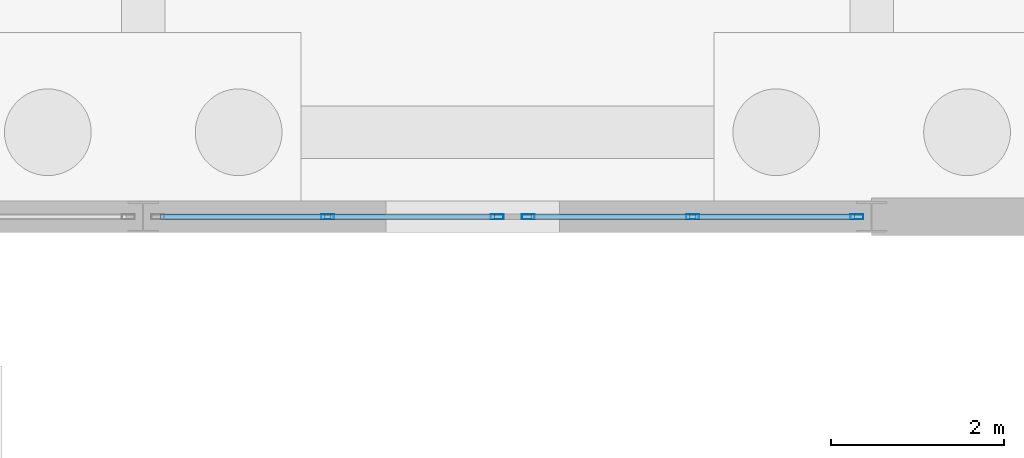
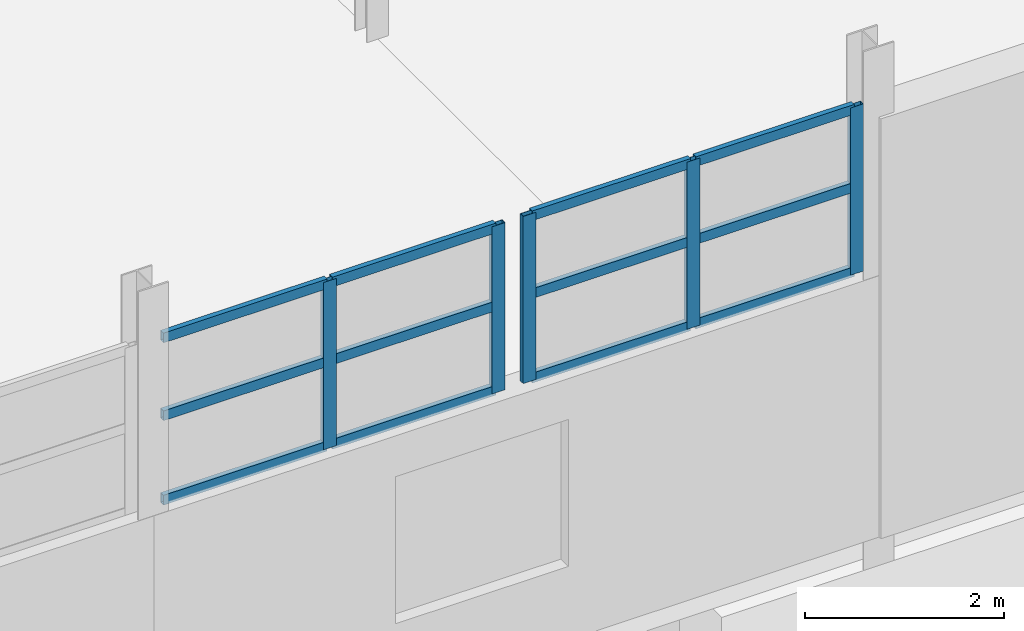
# One storey, part 70 of 139: 17 members, 2 elements without a shape of their own.
"""IFC4 building model written with IfcOpenShell, lengths in metres."""

from ifc_helpers import new_model, si_unit, direction, frame, origin, origin_2d, place, context, subcontext, project, spatial, hollow_rectangle, extrude, material, material_profile, profile_set, type_object, element, aggregate, save


model = new_model("IFC4")

# Units and contexts
model_context = context("Model", 3, precision=1e-05, world=origin(), true_north=direction((0.0, 1.0)))
body_context = subcontext(model_context, "Body", "Model", "MODEL_VIEW")
ifc_project = project(units=[si_unit("LENGTHUNIT", "METRE"), si_unit("AREAUNIT", "SQUARE_METRE"), si_unit("VOLUMEUNIT", "CUBIC_METRE"), si_unit("PLANEANGLEUNIT", "RADIAN"), si_unit("MASSUNIT", "GRAM", prefix="KILO")], contexts=[model_context])

# Site, building, storey
site_placement = place(None, origin())
site = spatial("IfcSite", under=ifc_project, at=site_placement, CompositionType="ELEMENT")
building_placement = place(site_placement, origin())
building = spatial("IfcBuilding", under=site, at=building_placement, Name="Kazenagashi Tramway Depot", CompositionType="ELEMENT")
storey_placement = place(building_placement, origin())
storey = spatial("IfcBuildingStorey", under=building, at=storey_placement, Name="L01", CompositionType="ELEMENT", Elevation=0.0)

# Curtain wall, members
ifc_material_1 = material(Name="Anodised Aluminium and Low-E Glazing", Category="aluminium")
curtain_wall_type_1 = type_object("IfcCurtainWallType", Name="CW-13", PredefinedType="USERDEFINED", material=ifc_material_1)
curtain_wall_1_placement = place(storey_placement, origin())
curtain_wall_1 = element("IfcCurtainWall", 1, at=curtain_wall_1_placement, inside=storey, type_object=curtain_wall_type_1, Name="Industrial Glazed Screen CW-13 CW-0030", ObjectType="GLAZED SCREEN", PredefinedType="USERDEFINED")
ifc_material_2 = material(Name="Anodised Aluminium", Category="aluminium")
ifc_material_profile_1 = material_profile(ifc_material_2, hollow_rectangle(XDim=0.06, YDim=0.15, WallThickness=0.004, at=origin_2d()), Name="RHS-150x60x4")
ifc_profile_set_1 = profile_set([ifc_material_profile_1], Name="Anodised Aluminium")
member_type_1 = type_object("IfcMemberType", Name="ML-01", PredefinedType="MULLION", material=ifc_profile_set_1)
member_1_placement = place(storey_placement, frame((97.325, 70.0, 3.2), z_axis=(0.0, 0.0, 1.0), x_axis=(0.0, 1.0, 0.0)))
member_1 = element("IfcMember", 2, at=member_1_placement, type_object=member_type_1, Name="CW-13 mullion 2", PredefinedType="MULLION", context=body_context, shape_type="SweptSolid", body=[
    extrude(hollow_rectangle(XDim=0.06, YDim=0.15, WallThickness=0.004, at=origin_2d()), origin(), (0.0, 0.0, 1.0), 2.047),
])
member_2_placement = place(storey_placement, frame((99.28, 70.0, 3.2), z_axis=(0.0, 0.0, 1.0), x_axis=(0.0, 1.0, 0.0)))
member_2 = element("IfcMember", 3, at=member_2_placement, type_object=member_type_1, Name="CW-13 mullion 3", PredefinedType="MULLION", context=body_context, shape_type="SweptSolid", body=[
    extrude(hollow_rectangle(XDim=0.06, YDim=0.15, WallThickness=0.004, at=origin_2d()), origin(), (0.0, 0.0, 1.0), 2.047),
])

curtain_wall_type_2 = type_object("IfcCurtainWallType", Name="CW-12", PredefinedType="USERDEFINED", material=ifc_material_1)
curtain_wall_2_placement = place(storey_placement, origin())
curtain_wall_2 = element("IfcCurtainWall", 4, at=curtain_wall_2_placement, inside=storey, type_object=curtain_wall_type_2, Name="Industrial Glazed Screen CW-12 CW-0031", ObjectType="GLAZED SCREEN", PredefinedType="USERDEFINED")
member_3_placement = place(storey_placement, frame((99.64, 70.0, 3.2), z_axis=(0.0, 0.0, 1.0), x_axis=(0.0, 1.0, 0.0)))
member_3 = element("IfcMember", 5, at=member_3_placement, type_object=member_type_1, Name="CW-12 mullion 1", PredefinedType="MULLION", context=body_context, shape_type="SweptSolid", body=[
    extrude(hollow_rectangle(XDim=0.06, YDim=0.15, WallThickness=0.004, at=origin_2d()), origin(), (0.0, 0.0, 1.0), 2.047),
])
member_4_placement = place(storey_placement, frame((101.535, 70.0, 3.2), z_axis=(0.0, 0.0, 1.0), x_axis=(0.0, 1.0, 0.0)))
member_4 = element("IfcMember", 6, at=member_4_placement, type_object=member_type_1, Name="CW-12 mullion 2", PredefinedType="MULLION", context=body_context, shape_type="SweptSolid", body=[
    extrude(hollow_rectangle(XDim=0.06, YDim=0.15, WallThickness=0.004, at=origin_2d()), origin(), (0.0, 0.0, 1.0), 2.047),
])
member_5_placement = place(storey_placement, frame((103.43, 70.0, 3.2), z_axis=(0.0, 0.0, 1.0), x_axis=(0.0, 1.0, 0.0)))
member_5 = element("IfcMember", 7, at=member_5_placement, type_object=member_type_1, Name="CW-12 mullion 3", PredefinedType="MULLION", context=body_context, shape_type="SweptSolid", body=[
    extrude(hollow_rectangle(XDim=0.06, YDim=0.15, WallThickness=0.004, at=origin_2d()), origin(), (0.0, 0.0, 1.0), 2.047),
])

# Member
ifc_material_profile_2 = material_profile(ifc_material_2, hollow_rectangle(XDim=0.06, YDim=0.12, WallThickness=0.004, at=origin_2d()), Name="RHS-120x60x4")
ifc_profile_set_2 = profile_set([ifc_material_profile_2], Name="Anodised Aluminium")
member_type_2 = type_object("IfcMemberType", Name="TR-01", PredefinedType="USERDEFINED", material=ifc_profile_set_2)
member_6_placement = place(storey_placement, frame((95.4, 70.0, 3.23), z_axis=(1.0, 0.0, 0.0), x_axis=(0.0, 1.0, 0.0)))
member_6 = element("IfcMember", 8, at=member_6_placement, type_object=member_type_2, Name="CW-13 transom 1.1", ObjectType="TRANSOM", PredefinedType="USERDEFINED", context=body_context, shape_type="SweptSolid", body=[
    extrude(hollow_rectangle(XDim=0.06, YDim=0.12, WallThickness=0.004, at=origin_2d()), origin(), (0.0, 0.0, 1.0), 1.895),
])

member_7_placement = place(storey_placement, frame((95.4, 70.0, 4.264), z_axis=(1.0, 0.0, 0.0), x_axis=(0.0, 1.0, 0.0)))
member_7 = element("IfcMember", 9, at=member_7_placement, type_object=member_type_2, Name="CW-13 transom 1.2", ObjectType="TRANSOM", PredefinedType="USERDEFINED", context=body_context, shape_type="SweptSolid", body=[
    extrude(hollow_rectangle(XDim=0.06, YDim=0.12, WallThickness=0.004, at=origin_2d()), origin(), (0.0, 0.0, 1.0), 1.895),
])

member_8_placement = place(storey_placement, frame((95.4, 70.0, 5.217), z_axis=(1.0, 0.0, 0.0), x_axis=(0.0, 1.0, 0.0)))
member_8 = element("IfcMember", 10, at=member_8_placement, type_object=member_type_2, Name="CW-13 transom 1.3", ObjectType="TRANSOM", PredefinedType="USERDEFINED", context=body_context, shape_type="SweptSolid", body=[
    extrude(hollow_rectangle(XDim=0.06, YDim=0.12, WallThickness=0.004, at=origin_2d()), origin(), (0.0, 0.0, 1.0), 1.895),
])

member_9_placement = place(storey_placement, frame((97.355, 70.0, 3.23), z_axis=(1.0, 0.0, 0.0), x_axis=(0.0, 1.0, 0.0)))
member_9 = element("IfcMember", 11, at=member_9_placement, type_object=member_type_2, Name="CW-13 transom 2.1", ObjectType="TRANSOM", PredefinedType="USERDEFINED", context=body_context, shape_type="SweptSolid", body=[
    extrude(hollow_rectangle(XDim=0.06, YDim=0.12, WallThickness=0.004, at=origin_2d()), origin(), (0.0, 0.0, 1.0), 1.895),
])

member_10_placement = place(storey_placement, frame((97.355, 70.0, 4.264), z_axis=(1.0, 0.0, 0.0), x_axis=(0.0, 1.0, 0.0)))
member_10 = element("IfcMember", 12, at=member_10_placement, type_object=member_type_2, Name="CW-13 transom 2.2", ObjectType="TRANSOM", PredefinedType="USERDEFINED", context=body_context, shape_type="SweptSolid", body=[
    extrude(hollow_rectangle(XDim=0.06, YDim=0.12, WallThickness=0.004, at=origin_2d()), origin(), (0.0, 0.0, 1.0), 1.895),
])

member_11_placement = place(storey_placement, frame((97.355, 70.0, 5.217), z_axis=(1.0, 0.0, 0.0), x_axis=(0.0, 1.0, 0.0)))
member_11 = element("IfcMember", 13, at=member_11_placement, type_object=member_type_2, Name="CW-13 transom 2.3", ObjectType="TRANSOM", PredefinedType="USERDEFINED", context=body_context, shape_type="SweptSolid", body=[
    extrude(hollow_rectangle(XDim=0.06, YDim=0.12, WallThickness=0.004, at=origin_2d()), origin(), (0.0, 0.0, 1.0), 1.895),
])

aggregate(curtain_wall_1, [member_1, member_2, member_6, member_7, member_8, member_9, member_10, member_11])

member_12_placement = place(storey_placement, frame((99.67, 70.0, 3.23), z_axis=(1.0, 0.0, 0.0), x_axis=(0.0, 1.0, 0.0)))
member_12 = element("IfcMember", 14, at=member_12_placement, type_object=member_type_2, Name="CW-12 transom 1.1", ObjectType="TRANSOM", PredefinedType="USERDEFINED", context=body_context, shape_type="SweptSolid", body=[
    extrude(hollow_rectangle(XDim=0.06, YDim=0.12, WallThickness=0.004, at=origin_2d()), origin(), (0.0, 0.0, 1.0), 1.835),
])

member_13_placement = place(storey_placement, frame((99.67, 70.0, 4.264), z_axis=(1.0, 0.0, 0.0), x_axis=(0.0, 1.0, 0.0)))
member_13 = element("IfcMember", 15, at=member_13_placement, type_object=member_type_2, Name="CW-12 transom 1.2", ObjectType="TRANSOM", PredefinedType="USERDEFINED", context=body_context, shape_type="SweptSolid", body=[
    extrude(hollow_rectangle(XDim=0.06, YDim=0.12, WallThickness=0.004, at=origin_2d()), origin(), (0.0, 0.0, 1.0), 1.835),
])

member_14_placement = place(storey_placement, frame((99.67, 70.0, 5.217), z_axis=(1.0, 0.0, 0.0), x_axis=(0.0, 1.0, 0.0)))
member_14 = element("IfcMember", 16, at=member_14_placement, type_object=member_type_2, Name="CW-12 transom 1.3", ObjectType="TRANSOM", PredefinedType="USERDEFINED", context=body_context, shape_type="SweptSolid", body=[
    extrude(hollow_rectangle(XDim=0.06, YDim=0.12, WallThickness=0.004, at=origin_2d()), origin(), (0.0, 0.0, 1.0), 1.835),
])

member_15_placement = place(storey_placement, frame((101.565, 70.0, 3.23), z_axis=(1.0, 0.0, 0.0), x_axis=(0.0, 1.0, 0.0)))
member_15 = element("IfcMember", 17, at=member_15_placement, type_object=member_type_2, Name="CW-12 transom 2.1", ObjectType="TRANSOM", PredefinedType="USERDEFINED", context=body_context, shape_type="SweptSolid", body=[
    extrude(hollow_rectangle(XDim=0.06, YDim=0.12, WallThickness=0.004, at=origin_2d()), origin(), (0.0, 0.0, 1.0), 1.835),
])

member_16_placement = place(storey_placement, frame((101.565, 70.0, 4.264), z_axis=(1.0, 0.0, 0.0), x_axis=(0.0, 1.0, 0.0)))
member_16 = element("IfcMember", 18, at=member_16_placement, type_object=member_type_2, Name="CW-12 transom 2.2", ObjectType="TRANSOM", PredefinedType="USERDEFINED", context=body_context, shape_type="SweptSolid", body=[
    extrude(hollow_rectangle(XDim=0.06, YDim=0.12, WallThickness=0.004, at=origin_2d()), origin(), (0.0, 0.0, 1.0), 1.835),
])

member_17_placement = place(storey_placement, frame((101.565, 70.0, 5.217), z_axis=(1.0, 0.0, 0.0), x_axis=(0.0, 1.0, 0.0)))
member_17 = element("IfcMember", 19, at=member_17_placement, type_object=member_type_2, Name="CW-12 transom 2.3", ObjectType="TRANSOM", PredefinedType="USERDEFINED", context=body_context, shape_type="SweptSolid", body=[
    extrude(hollow_rectangle(XDim=0.06, YDim=0.12, WallThickness=0.004, at=origin_2d()), origin(), (0.0, 0.0, 1.0), 1.835),
])

aggregate(curtain_wall_2, [member_3, member_4, member_5, member_12, member_13, member_14, member_15, member_16, member_17])

save(model, "model.ifc")
